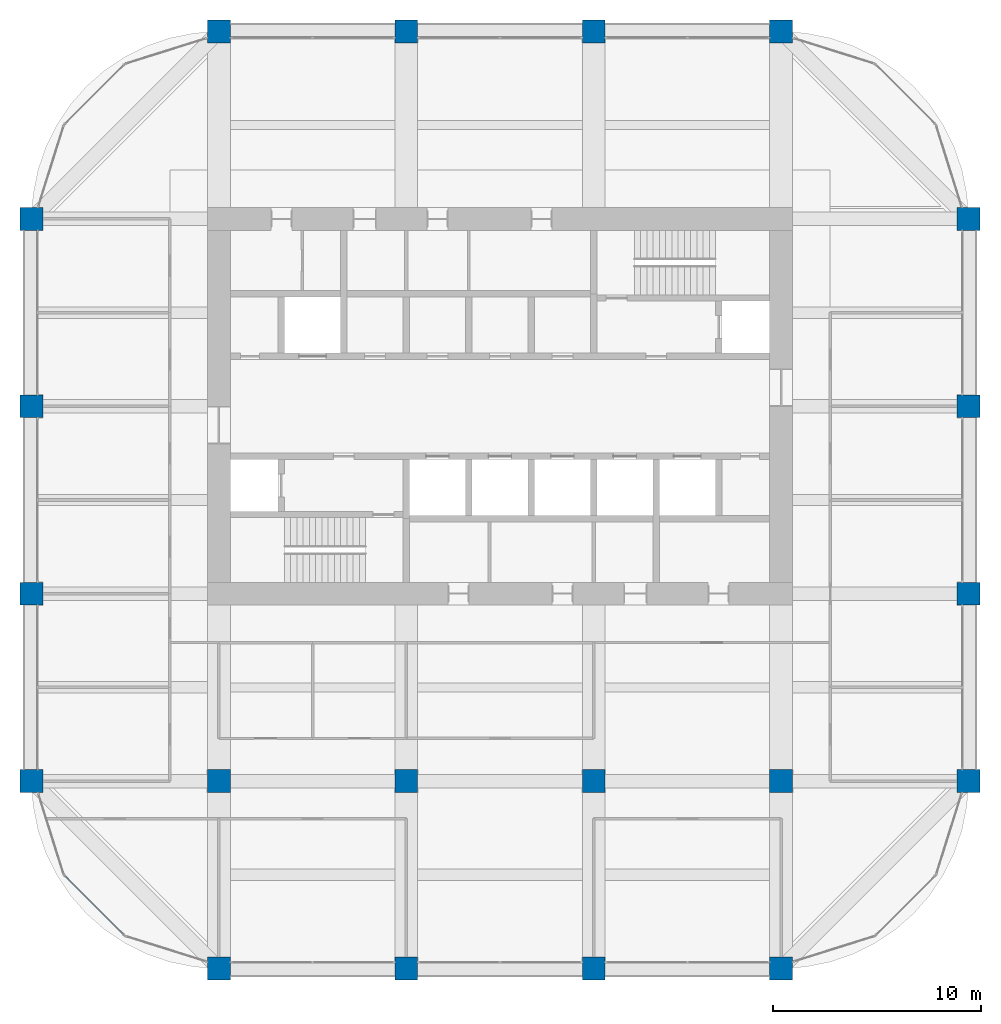
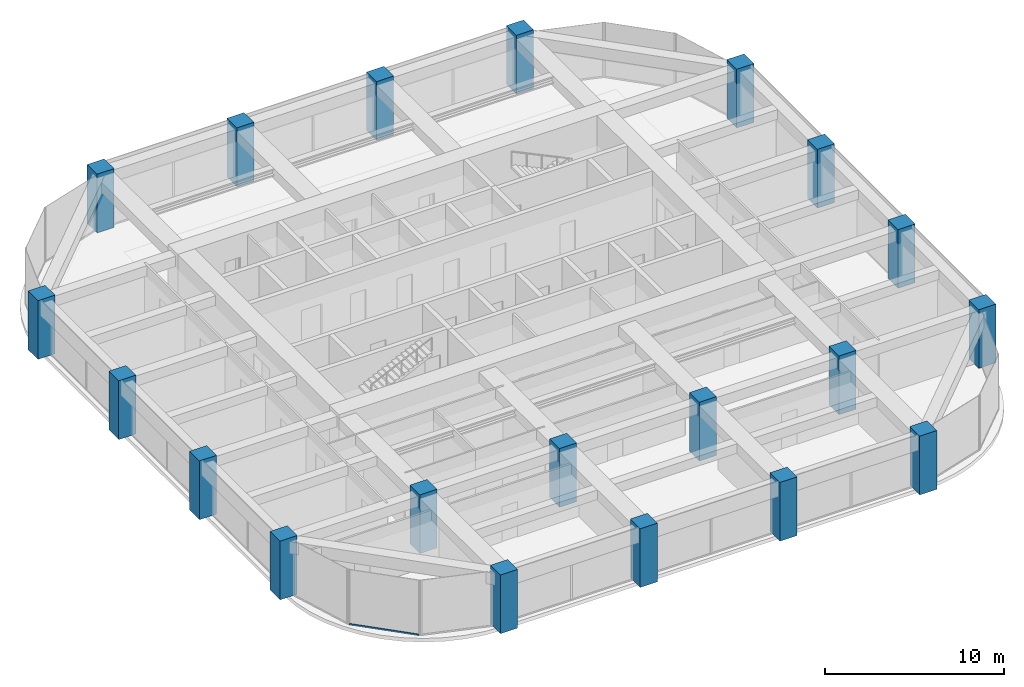
# One storey, part 1 of 44: 20 columns, 1 member, 1 element without a shape of its own.
"""IFC4 building model written with IfcOpenShell, lengths in metres."""

from ifc_helpers import new_model, si_unit, direction, frame, origin, origin_2d, place, context, subcontext, project, spatial, rectangle, hollow_rectangle, extrude, material, material_profile, profile_set, type_object, element, aggregate, save


model = new_model("IFC4")

# Units and contexts
model_context = context("Model", 3, precision=1e-05, world=origin(), true_north=direction((0.0, 1.0)))
body_context = subcontext(model_context, "Body", "Model", "MODEL_VIEW")
ifc_project = project(units=[si_unit("LENGTHUNIT", "METRE"), si_unit("AREAUNIT", "SQUARE_METRE"), si_unit("VOLUMEUNIT", "CUBIC_METRE"), si_unit("PLANEANGLEUNIT", "RADIAN"), si_unit("MASSUNIT", "GRAM", prefix="KILO")], contexts=[model_context])

# Site, building, storey
site_placement = place(None, origin())
site = spatial("IfcSite", under=ifc_project, at=site_placement, CompositionType="ELEMENT")
building_placement = place(site_placement, origin())
building = spatial("IfcBuilding", under=site, at=building_placement, Name="Zorevar Civic Tower", CompositionType="ELEMENT")
storey_placement = place(building_placement, frame((0.0, 0.0, 287.39990234375)))
storey = spatial("IfcBuildingStorey", under=building, at=storey_placement, Name="L70", CompositionType="ELEMENT", Elevation=287.39990234375)

# Columns
ifc_material_1 = material(Name="Concrete C50/60", Category="concrete")
ifc_material_profile_1 = material_profile(ifc_material_1, rectangle(XDim=1.10009765625, YDim=1.10009765625, at=origin_2d()), Name="RC 1100x1100")
ifc_profile_set_1 = profile_set([ifc_material_profile_1], Name="Concrete C50/60")
column_type = type_object("IfcColumnType", Name="Column RC 1100x1100", PredefinedType="COLUMN", material=ifc_profile_set_1)
for number, where, z_axis, x_axis, name in (
    (1, (9.0, 9.0, 0.0), (0.0, 0.0, 1.0), (1.0, 0.0, 0.0), "Column 3B L70"),
    (2, (9.0, 18.0, 0.0), (0.0, 0.0, 1.0), (1.0, 0.0, 0.0), "Column 3C L70"),
    (3, (9.0, 27.0, 0.0), (0.0, 0.0, 1.0), (1.0, 0.0, 0.0), "Column 3D L70"),
    (4, (9.0, 36.0, 0.0), (0.0, 0.0, 1.0), (1.0, 0.0, 0.0), "Column 3E L70"),
    (5, (18.0, 0.0, 0.0), (0.0, 0.0, 1.0), (1.0, 0.0, 0.0), "Column 4A L70"),
    (6, (18.0, 9.0, 0.0), (0.0, 0.0, 1.0), (1.0, 0.0, 0.0), "Column 4B L70"),
    (7, (18.0, 45.0, 0.0), (0.0, 0.0, 1.0), (1.0, 0.0, 0.0), "Column 4F L70"),
    (8, (27.0, 0.0, 0.0), (0.0, 0.0, 1.0), (1.0, 0.0, 0.0), "Column 5A L70"),
    (9, (27.0, 9.0, 0.0), (0.0, 0.0, 1.0), (1.0, 0.0, 0.0), "Column 5B L70"),
    (10, (27.0, 45.0, 0.0), (0.0, 0.0, 1.0), (1.0, 0.0, 0.0), "Column 5F L70"),
    (11, (36.0, 0.0, 0.0), (0.0, 0.0, 1.0), (1.0, 0.0, 0.0), "Column 6A L70"),
    (12, (36.0, 9.0, 0.0), (0.0, 0.0, 1.0), (1.0, 0.0, 0.0), "Column 6B L70"),
    (13, (36.0, 45.0, 0.0), (0.0, 0.0, 1.0), (1.0, 0.0, 0.0), "Column 6F L70"),
    (14, (45.0, 0.0, 0.0), (0.0, 0.0, 1.0), (1.0, 0.0, 0.0), "Column 7A L70"),
    (15, (45.0, 9.0, 0.0), (0.0, 0.0, 1.0), (1.0, 0.0, 0.0), "Column 7B L70"),
    (16, (45.0, 45.0, 0.0), (0.0, 0.0, 1.0), (1.0, 0.0, 0.0), "Column 7F L70"),
    (17, (54.0, 9.0, 0.0), (0.0, 0.0, 1.0), (1.0, 0.0, 0.0), "Column 8B L70"),
    (18, (54.0, 18.0, 0.0), (0.0, 0.0, 1.0), (1.0, 0.0, 0.0), "Column 8C L70"),
    (19, (54.0, 27.0, 0.0), (0.0, 0.0, 1.0), (1.0, 0.0, 0.0), "Column 8D L70"),
    (20, (54.0, 36.0, 0.0), (0.0, 0.0, 1.0), (1.0, 0.0, 0.0), "Column 8E L70"),
):
    element("IfcColumn", number, at=place(storey_placement, frame(where, z_axis=z_axis, x_axis=x_axis)), inside=storey, type_object=column_type, Name=name, PredefinedType="COLUMN", context=body_context, shape_type="SweptSolid", body=[
        extrude(rectangle(XDim=1.10009765625, YDim=1.10009765625, at=origin_2d()), origin(), (0.0, 0.0, 1.0), 4.0),
    ])

# Curtain wall, member
ifc_material_2 = material(Name="Dark grey solar-control glass in black aluminium frame", Category="aluminium")
curtain_wall_type = type_object("IfcCurtainWallType", Name="Curtain wall CW5 top zone", PredefinedType="NOTDEFINED", material=ifc_material_2)
curtain_wall_placement = place(storey_placement, origin())
curtain_wall = element("IfcCurtainWall", 21, at=curtain_wall_placement, inside=storey, type_object=curtain_wall_type, Name="CW5 L70", PredefinedType="NOTDEFINED")
ifc_material_3 = material(Name="Aluminium, black anodised", Category="aluminium")
ifc_material_profile_2 = material_profile(ifc_material_3, hollow_rectangle(XDim=0.06005859375, YDim=0.1201171875, WallThickness=0.0029296875, at=origin_2d()), Name="AL 120x60x3")
ifc_profile_set_2 = profile_set([ifc_material_profile_2], Name="Aluminium, black anodised")
member_type = type_object("IfcMemberType", Name="CW5 transom AL 120x60x3", PredefinedType="USERDEFINED", material=ifc_profile_set_2)
member_placement = place(storey_placement, frame((10.6015625, 4.44970703125, 0.030029296875), z_axis=(0.707106781187, -0.707106781187, 0.0), x_axis=(0.707106781187, 0.707106781187, 0.0)))
member = element("IfcMember", 22, at=member_placement, type_object=member_type, Name="CW5 sill transom", ObjectType="TRANSOM", PredefinedType="USERDEFINED", context=body_context, shape_type="SweptSolid", body=[
    extrude(hollow_rectangle(XDim=0.06005859375, YDim=0.1201171875, WallThickness=0.0029296875, at=origin_2d()), origin(), (0.0, 0.0, 1.0), 4.02783203125),
])
aggregate(curtain_wall, [member])

save(model, "model.ifc")
